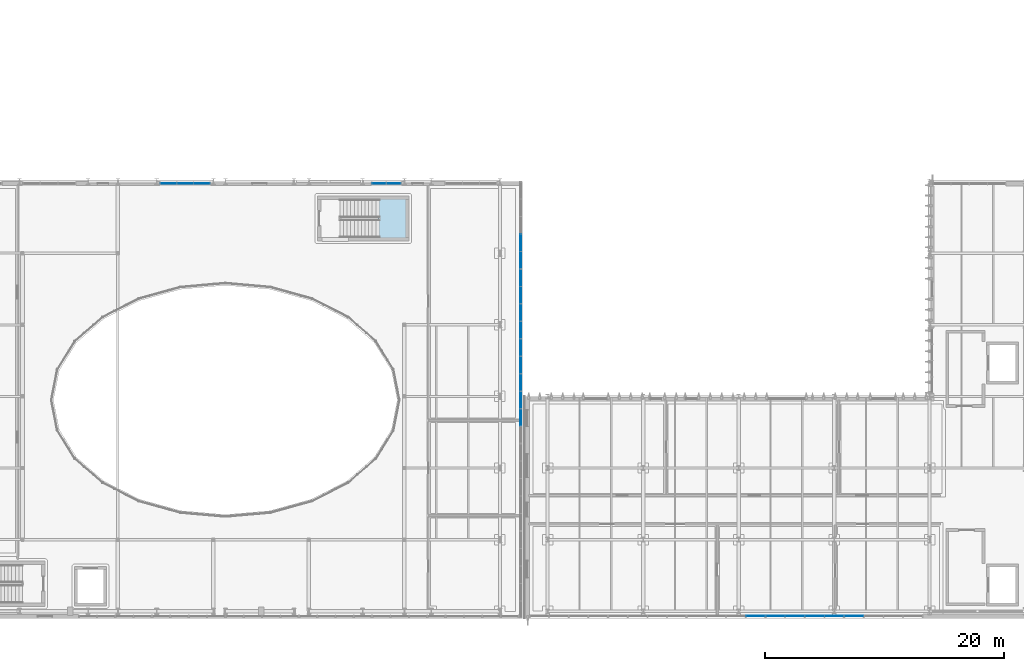
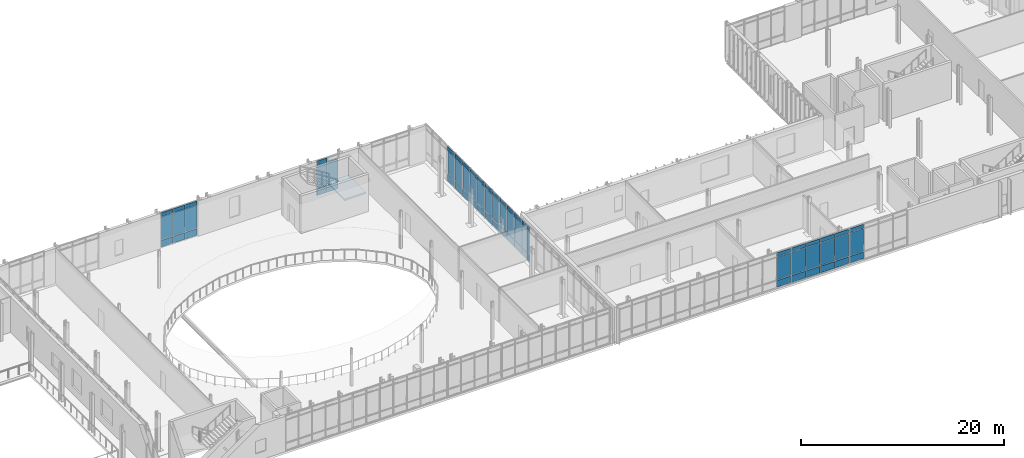
# One storey, part 55 of 100: 65 plates, 1 slab, 9 elements without a shape of their own.
"""IFC4 building model written with IfcOpenShell, lengths in metres."""

import ifcopenshell
import ifcopenshell.guid

model = None  # the IFC model being written
_history = None  # IfcOwnerHistory: only IFC2X3 demands one
_inside = {}  # id of a spatial element -> (the spatial element, [elements in it])
_under = {}  # id of a project, library or spatial element -> (it, [spatial elements below it])
_declared = {}  # id of a project -> (the project, [libraries it declares])
_typed = {}  # id of a type object -> (the type object, [elements of that type])
_made_of = {}  # id of a material, layer set ... -> (it, [elements and type objects made of it])


def new_model(schema):
    """Start an empty IFC model of exactly this schema.

    Asked for "IFC4X3", IfcOpenShell would pick the latest addendum, in which some entities
    have other attributes; the version numbers below select the first issue.
    IFC2X3 requires an IfcOwnerHistory on every rooted entity: one is made here for all.
    """
    global model, _history
    if schema == "IFC4X3":
        model = ifcopenshell.file(schema_version=(4, 3, 0, 0))
    else:
        model = ifcopenshell.file(schema=schema)
    _inside.clear()
    _under.clear()
    _declared.clear()
    _typed.clear()
    _made_of.clear()
    _history = None
    if model.schema == "IFC2X3":
        org = make("IfcOrganization", Name="unknown")
        user = make(
            "IfcPersonAndOrganization",
            ThePerson=make("IfcPerson", FamilyName="unknown"),
            TheOrganization=org,
        )
        app = make(
            "IfcApplication",
            ApplicationDeveloper=org,
            Version="unknown",
            ApplicationFullName="unknown",
            ApplicationIdentifier="unknown",
        )
        _history = make(
            "IfcOwnerHistory",
            OwningUser=user,
            OwningApplication=app,
            ChangeAction="ADDED",
            CreationDate=0,
        )
    return model


def make(cls, **values):
    """One entity of the class cls with the attributes given. An attribute that is None is left unset."""
    return model.create_entity(
        cls, **{name: value for name, value in values.items() if value is not None}
    )


def rooted(cls, **values):
    """An entity with a GlobalId (a new one), such as an element, a storey or a relation."""
    return make(cls, GlobalId=ifcopenshell.guid.new(), OwnerHistory=_history, **values)


def si_unit(unit_type, name, prefix=None):
    """IfcSIUnit, for example si_unit("LENGTHUNIT", "METRE", prefix="MILLI")."""
    return make("IfcSIUnit", UnitType=unit_type, Prefix=prefix, Name=name)


def assignment(units):
    """IfcUnitAssignment: the units of a project."""
    return None if units is None else make("IfcUnitAssignment", Units=units)


def point(xyz):
    """IfcCartesianPoint."""
    return None if xyz is None else make("IfcCartesianPoint", Coordinates=xyz)


def direction(xyz):
    """IfcDirection."""
    return None if xyz is None else make("IfcDirection", DirectionRatios=xyz)


def frame(location, z_axis=None, x_axis=None):
    """IfcAxis2Placement3D, a coordinate frame: its origin and axes. An axis left out is left unset."""
    return make(
        "IfcAxis2Placement3D",
        Location=point(location),
        Axis=direction(z_axis),
        RefDirection=direction(x_axis),
    )


def frame_2d(location, x_axis=None):
    """IfcAxis2Placement2D, a coordinate frame in the plane: its origin and x axis."""
    return make(
        "IfcAxis2Placement2D", Location=point(location), RefDirection=direction(x_axis)
    )


def origin():
    """The frame at (0, 0, 0) with its axes left unset."""
    return frame((0.0, 0.0, 0.0))


def origin_2d():
    """The frame at (0, 0) in the plane with its x axis left unset."""
    return frame_2d((0.0, 0.0))


def place(relative_to, where):
    """IfcLocalPlacement: puts the frame where relative to a parent placement (None: the world)."""
    return make(
        "IfcLocalPlacement", PlacementRelTo=relative_to, RelativePlacement=where
    )


def context(
    kind, dimensions, precision=None, world=None, true_north=None, identifier=None
):
    """IfcGeometricRepresentationContext, for example the 3D "Model" context."""
    return make(
        "IfcGeometricRepresentationContext",
        ContextIdentifier=identifier,
        ContextType=kind,
        CoordinateSpaceDimension=dimensions,
        Precision=precision,
        WorldCoordinateSystem=world,
        TrueNorth=true_north,
    )


def subcontext(parent, identifier, kind, view, scale=None):
    """IfcGeometricRepresentationSubContext, for example "Body" below "Model"."""
    return make(
        "IfcGeometricRepresentationSubContext",
        ContextIdentifier=identifier,
        ContextType=kind,
        ParentContext=parent,
        TargetScale=scale,
        TargetView=view,
    )


def project(units=None, contexts=None):
    """IfcProject with its units and contexts."""
    return rooted(
        "IfcProject",
        Name="project",
        RepresentationContexts=contexts,
        UnitsInContext=assignment(units),
    )


def spatial(cls, under=None, at=None, **own):
    """A site, building, storey or space (cls), placed at a placement, below another one or the project."""
    s = rooted(cls, ObjectPlacement=at, **own)
    if under is not None:
        _under.setdefault(under.id(), (under, []))[1].append(s)
    return s


def polyline(points):
    """IfcPolyline through the points."""
    return make("IfcPolyline", Points=[point(p) for p in points])


def profile(cls, at=None, kind="AREA", **sizes):
    """A parametric profile (cls). Its sizes go by their IFC names, for example OverallWidth=200.0."""
    return make(cls, ProfileType=kind, Position=at, **sizes)


def rectangle(**sizes):
    """IfcRectangleProfileDef."""
    return profile("IfcRectangleProfileDef", **sizes)


def outline(outer, holes=None, kind="AREA"):
    """IfcArbitraryClosedProfileDef: a profile drawn as a closed curve; with holes, ...WithVoids."""
    if holes is None:
        return make("IfcArbitraryClosedProfileDef", ProfileType=kind, OuterCurve=outer)
    return make(
        "IfcArbitraryProfileDefWithVoids",
        ProfileType=kind,
        OuterCurve=outer,
        InnerCurves=holes,
    )


def extrude(swept, where, along, depth):
    """IfcExtrudedAreaSolid: the profile swept, set in the frame where, extruded along a direction by depth."""
    return make(
        "IfcExtrudedAreaSolid",
        SweptArea=swept,
        Position=where,
        ExtrudedDirection=direction(along),
        Depth=depth,
    )


def shape(context_of_items, identifier, shape_type, items):
    """IfcShapeRepresentation: the items that make up one representation, for example the "Body"."""
    return make(
        "IfcShapeRepresentation",
        ContextOfItems=context_of_items,
        RepresentationIdentifier=identifier,
        RepresentationType=shape_type,
        Items=items,
    )


def material(Name=None, Category=None):
    """IfcMaterial."""
    return make("IfcMaterial", Name=Name, Category=Category)


def layer(
    of_material, thickness, ventilated=None, Name=None, Category=None, Priority=None
):
    """IfcMaterialLayer: one layer of a wall or slab, of a material (None: an air gap)."""
    return make(
        "IfcMaterialLayer",
        Material=of_material,
        LayerThickness=thickness,
        IsVentilated=ventilated,
        Name=Name,
        Category=Category,
        Priority=Priority,
    )


def layer_set(layers, Name=None):
    """IfcMaterialLayerSet."""
    return make("IfcMaterialLayerSet", MaterialLayers=layers, LayerSetName=Name)


def made_of(thing, what):
    """Note that an element or type object is made of a material, layer set ...; save() writes the relation."""
    if what is not None:
        _made_of.setdefault(what.id(), (what, []))[1].append(thing)
    return thing


def type_object(cls, material=None, **own):
    """A type object (cls), such as IfcWallType, which elements share."""
    return made_of(rooted(cls, **own), material)


def element(
    cls,
    number,
    at=None,
    inside=None,
    cuts=None,
    type_object=None,
    material=None,
    context=None,
    identifier="Body",
    shape_type=None,
    held_by="IfcProductDefinitionShape",
    body=None,
    shapes=None,
    **own,
):
    """One element of the class cls, such as IfcWall. Its Tag is "e" and its number.

    at: its placement. inside: the storey or other place that contains it. cuts: it is an
    opening in that element (IfcRelVoidsElement). A single representation is given by context,
    identifier, shape_type and body (its items); several are given by shapes. held_by: the class
    of the entity that holds the representations. save() writes the other relations.
    """
    e = rooted(cls, Tag="e%d" % number, ObjectPlacement=at, **own)
    if body is not None:
        shapes = [shape(context, identifier, shape_type, body)]
    if shapes is not None:
        e.Representation = make(held_by, Representations=shapes)
    if inside is not None:
        _inside.setdefault(inside.id(), (inside, []))[1].append(e)
    if cuts is not None:
        rooted(
            "IfcRelVoidsElement", RelatingBuildingElement=cuts, RelatedOpeningElement=e
        )
    if type_object is not None:
        _typed.setdefault(type_object.id(), (type_object, []))[1].append(e)
    return made_of(e, material)


def aggregate(whole, parts):
    """IfcRelAggregates: a whole, such as a stair, and the parts it consists of."""
    return rooted("IfcRelAggregates", RelatingObject=whole, RelatedObjects=parts)


def save(model, path):
    """Write the relations noted so far, then the file.

    IfcRelAggregates (storeys below a building ...), IfcRelContainedInSpatialStructure (elements
    in a storey), IfcRelDefinesByType, IfcRelAssociatesMaterial and IfcRelDeclares: one each for
    every whole, place, type object, material and project.
    """
    for whole, parts in _under.values():
        aggregate(whole, parts)
    for where, things in _inside.values():
        rooted(
            "IfcRelContainedInSpatialStructure",
            RelatedElements=things,
            RelatingStructure=where,
        )
    for kind, things in _typed.values():
        rooted("IfcRelDefinesByType", RelatedObjects=things, RelatingType=kind)
    for what, things in _made_of.values():
        rooted("IfcRelAssociatesMaterial", RelatedObjects=things, RelatingMaterial=what)
    for by, libraries in _declared.values():
        rooted("IfcRelDeclares", RelatingContext=by, RelatedDefinitions=libraries)
    model.write(path)


model = new_model("IFC4")

# Units and contexts
model_context = context("Model", 3, precision=1e-05, world=origin(), true_north=direction((0.0, 1.0)))
body_context = subcontext(model_context, "Body", "Model", "MODEL_VIEW")
ifc_project = project(units=[si_unit("LENGTHUNIT", "METRE"), si_unit("AREAUNIT", "SQUARE_METRE"), si_unit("VOLUMEUNIT", "CUBIC_METRE"), si_unit("PLANEANGLEUNIT", "RADIAN"), si_unit("MASSUNIT", "GRAM", prefix="KILO")], contexts=[model_context])

# Site, building, storey
site_placement = place(None, origin())
site = spatial("IfcSite", under=ifc_project, at=site_placement, CompositionType="ELEMENT")
building_placement = place(site_placement, origin())
building = spatial("IfcBuilding", under=site, at=building_placement, Name="Cymarion Research Institute", CompositionType="ELEMENT")
storey_placement = place(building_placement, frame((0.0, 0.0, 9.300048828125)))
storey = spatial("IfcBuildingStorey", under=building, at=storey_placement, Name="L02", CompositionType="ELEMENT", Elevation=9.300048828125)

# Curtain wall, plates
ifc_material_1 = material(Name="Anodised aluminium unitised curtain wall with Low-E glazing", Category="aluminium")
curtain_wall_type_1 = type_object("IfcCurtainWallType", Name="UNITISED CURTAIN WALL CW01 6590X4250", PredefinedType="NOTDEFINED", material=ifc_material_1)
curtain_wall_1_placement = place(storey_placement, origin())
curtain_wall_1 = element("IfcCurtainWall", 1, at=curtain_wall_1_placement, inside=storey, type_object=curtain_wall_type_1, Name="L02 V1 unitised curtain wall CW01 #62", PredefinedType="NOTDEFINED")
ifc_material_2 = material(Name="Insulated anodised aluminium spandrel panel", Category="aluminium")
ifc_layer_1 = layer(ifc_material_2, 0.06005859375)
ifc_layer_set_1 = layer_set([ifc_layer_1], Name="Insulated anodised aluminium spandrel panel")
plate_type_1 = type_object("IfcPlateType", Name="INSULATED ALUMINIUM SPANDREL PANEL SP01 60MM", PredefinedType="SHEET", material=ifc_layer_set_1)
plate_1_placement = place(storey_placement, frame((124.002197265625, 5.090087890625, 0.059814453125), z_axis=(0.0, 0.0, 1.0), x_axis=(1.0, 0.0, 0.0)))
plate_1 = element("IfcPlate", 2, at=plate_1_placement, type_object=plate_type_1, Name="CW01 panel 4.1", PredefinedType="SHEET", context=body_context, shape_type="SweptSolid", body=[
    extrude(rectangle(XDim=1.558349609375, YDim=0.06005859375, at=origin_2d()), origin(), (0.0, 0.0, 1.0), 0.81005859375),
])
plate_2_placement = place(storey_placement, frame((124.002197265625, 5.090087890625, 3.72998046875), z_axis=(0.0, 0.0, 1.0), x_axis=(1.0, 0.0, 0.0)))
plate_2 = element("IfcPlate", 3, at=plate_2_placement, type_object=plate_type_1, Name="CW01 panel 4.3", PredefinedType="SHEET", context=body_context, shape_type="SweptSolid", body=[
    extrude(rectangle(XDim=1.558349609375, YDim=0.06005859375, at=origin_2d()), origin(), (0.0, 0.0, 1.0), 0.4599609375),
])

curtain_wall_2_placement = place(storey_placement, origin())
curtain_wall_2 = element("IfcCurtainWall", 4, at=curtain_wall_2_placement, inside=storey, type_object=curtain_wall_type_1, Name="L02 V1 unitised curtain wall CW01 #63", PredefinedType="NOTDEFINED")
plate_3_placement = place(storey_placement, frame((125.680419921875, 5.090087890625, 0.059814453125), z_axis=(0.0, 0.0, 1.0), x_axis=(1.0, 0.0, 0.0)))
plate_3 = element("IfcPlate", 5, at=plate_3_placement, type_object=plate_type_1, Name="CW01 panel 1.1", PredefinedType="SHEET", context=body_context, shape_type="SweptSolid", body=[
    extrude(rectangle(XDim=1.558349609375, YDim=0.06005859375, at=origin_2d()), origin(), (0.0, 0.0, 1.0), 0.81005859375),
])
plate_4_placement = place(storey_placement, frame((125.680419921875, 5.090087890625, 3.72998046875), z_axis=(0.0, 0.0, 1.0), x_axis=(1.0, 0.0, 0.0)))
plate_4 = element("IfcPlate", 6, at=plate_4_placement, type_object=plate_type_1, Name="CW01 panel 1.3", PredefinedType="SHEET", context=body_context, shape_type="SweptSolid", body=[
    extrude(rectangle(XDim=1.558349609375, YDim=0.06005859375, at=origin_2d()), origin(), (0.0, 0.0, 1.0), 0.4599609375),
])
plate_5_placement = place(storey_placement, frame((127.313720703125, 5.090087890625, 0.059814453125), z_axis=(0.0, 0.0, 1.0), x_axis=(1.0, 0.0, 0.0)))
plate_5 = element("IfcPlate", 7, at=plate_5_placement, type_object=plate_type_1, Name="CW01 panel 2.1", PredefinedType="SHEET", context=body_context, shape_type="SweptSolid", body=[
    extrude(rectangle(XDim=1.58837890625, YDim=0.06005859375, at=origin_2d()), origin(), (0.0, 0.0, 1.0), 0.81005859375),
])
plate_6_placement = place(storey_placement, frame((127.313720703125, 5.090087890625, 3.72998046875), z_axis=(0.0, 0.0, 1.0), x_axis=(1.0, 0.0, 0.0)))
plate_6 = element("IfcPlate", 8, at=plate_6_placement, type_object=plate_type_1, Name="CW01 panel 2.3", PredefinedType="SHEET", context=body_context, shape_type="SweptSolid", body=[
    extrude(rectangle(XDim=1.58837890625, YDim=0.06005859375, at=origin_2d()), origin(), (0.0, 0.0, 1.0), 0.4599609375),
])
plate_7_placement = place(storey_placement, frame((128.9619140625, 5.090087890625, 0.059814453125), z_axis=(0.0, 0.0, 1.0), x_axis=(1.0, 0.0, 0.0)))
plate_7 = element("IfcPlate", 9, at=plate_7_placement, type_object=plate_type_1, Name="CW01 panel 3.1", PredefinedType="SHEET", context=body_context, shape_type="SweptSolid", body=[
    extrude(rectangle(XDim=1.58837890625, YDim=0.06005859375, at=origin_2d()), origin(), (0.0, 0.0, 1.0), 0.81005859375),
])
plate_8_placement = place(storey_placement, frame((128.9619140625, 5.090087890625, 3.72998046875), z_axis=(0.0, 0.0, 1.0), x_axis=(1.0, 0.0, 0.0)))
plate_8 = element("IfcPlate", 10, at=plate_8_placement, type_object=plate_type_1, Name="CW01 panel 3.3", PredefinedType="SHEET", context=body_context, shape_type="SweptSolid", body=[
    extrude(rectangle(XDim=1.58837890625, YDim=0.06005859375, at=origin_2d()), origin(), (0.0, 0.0, 1.0), 0.4599609375),
])
plate_9_placement = place(storey_placement, frame((130.59521484375, 5.090087890625, 0.059814453125), z_axis=(0.0, 0.0, 1.0), x_axis=(1.0, 0.0, 0.0)))
plate_9 = element("IfcPlate", 11, at=plate_9_placement, type_object=plate_type_1, Name="CW01 panel 4.1", PredefinedType="SHEET", context=body_context, shape_type="SweptSolid", body=[
    extrude(rectangle(XDim=1.558349609375, YDim=0.06005859375, at=origin_2d()), origin(), (0.0, 0.0, 1.0), 0.81005859375),
])
plate_10_placement = place(storey_placement, frame((130.59521484375, 5.090087890625, 3.72998046875), z_axis=(0.0, 0.0, 1.0), x_axis=(1.0, 0.0, 0.0)))
plate_10 = element("IfcPlate", 12, at=plate_10_placement, type_object=plate_type_1, Name="CW01 panel 4.3", PredefinedType="SHEET", context=body_context, shape_type="SweptSolid", body=[
    extrude(rectangle(XDim=1.558349609375, YDim=0.06005859375, at=origin_2d()), origin(), (0.0, 0.0, 1.0), 0.4599609375),
])

curtain_wall_3_placement = place(storey_placement, origin())
curtain_wall_3 = element("IfcCurtainWall", 13, at=curtain_wall_3_placement, inside=storey, type_object=curtain_wall_type_1, Name="L02 V1 unitised curtain wall CW01 #64", PredefinedType="NOTDEFINED")
plate_11_placement = place(storey_placement, frame((132.2734375, 5.090087890625, 0.059814453125), z_axis=(0.0, 0.0, 1.0), x_axis=(1.0, 0.0, 0.0)))
plate_11 = element("IfcPlate", 14, at=plate_11_placement, type_object=plate_type_1, Name="CW01 panel 1.1", PredefinedType="SHEET", context=body_context, shape_type="SweptSolid", body=[
    extrude(rectangle(XDim=1.558349609375, YDim=0.06005859375, at=origin_2d()), origin(), (0.0, 0.0, 1.0), 0.81005859375),
])
plate_12_placement = place(storey_placement, frame((132.2734375, 5.090087890625, 3.72998046875), z_axis=(0.0, 0.0, 1.0), x_axis=(1.0, 0.0, 0.0)))
plate_12 = element("IfcPlate", 15, at=plate_12_placement, type_object=plate_type_1, Name="CW01 panel 1.3", PredefinedType="SHEET", context=body_context, shape_type="SweptSolid", body=[
    extrude(rectangle(XDim=1.558349609375, YDim=0.06005859375, at=origin_2d()), origin(), (0.0, 0.0, 1.0), 0.4599609375),
])

curtain_wall_type_2 = type_object("IfcCurtainWallType", Name="UNITISED CURTAIN WALL CW08 7320X4250", PredefinedType="NOTDEFINED", material=ifc_material_1)
curtain_wall_4_placement = place(storey_placement, origin())
curtain_wall_4 = element("IfcCurtainWall", 16, at=curtain_wall_4_placement, inside=storey, type_object=curtain_wall_type_2, Name="L02 V2 unitised curtain wall CW08 #80", PredefinedType="NOTDEFINED")
plate_13_placement = place(storey_placement, frame((104.340087890625, 21.736083984375, 0.059814453125), z_axis=(0.0, 0.0, 1.0), x_axis=(0.0, 1.0, 0.0)))
plate_13 = element("IfcPlate", 17, at=plate_13_placement, type_object=plate_type_1, Name="CW08 panel 2.1", PredefinedType="SHEET", context=body_context, shape_type="SweptSolid", body=[
    extrude(rectangle(XDim=1.404052734375, YDim=0.06005859375, at=origin_2d()), origin(), (0.0, 0.0, 1.0), 0.81005859375),
])
plate_14_placement = place(storey_placement, frame((104.340087890625, 21.736083984375, 3.72998046875), z_axis=(0.0, 0.0, 1.0), x_axis=(0.0, 1.0, 0.0)))
plate_14 = element("IfcPlate", 18, at=plate_14_placement, type_object=plate_type_1, Name="CW08 panel 2.3", PredefinedType="SHEET", context=body_context, shape_type="SweptSolid", body=[
    extrude(rectangle(XDim=1.404052734375, YDim=0.06005859375, at=origin_2d()), origin(), (0.0, 0.0, 1.0), 0.4599609375),
])
plate_15_placement = place(storey_placement, frame((104.340087890625, 23.199951171875, 0.059814453125), z_axis=(0.0, 0.0, 1.0), x_axis=(0.0, 1.0, 0.0)))
plate_15 = element("IfcPlate", 19, at=plate_15_placement, type_object=plate_type_1, Name="CW08 panel 3.1", PredefinedType="SHEET", context=body_context, shape_type="SweptSolid", body=[
    extrude(rectangle(XDim=1.404052734375, YDim=0.06005859375, at=origin_2d()), origin(), (0.0, 0.0, 1.0), 0.81005859375),
])
plate_16_placement = place(storey_placement, frame((104.340087890625, 23.199951171875, 3.72998046875), z_axis=(0.0, 0.0, 1.0), x_axis=(0.0, 1.0, 0.0)))
plate_16 = element("IfcPlate", 20, at=plate_16_placement, type_object=plate_type_1, Name="CW08 panel 3.3", PredefinedType="SHEET", context=body_context, shape_type="SweptSolid", body=[
    extrude(rectangle(XDim=1.404052734375, YDim=0.06005859375, at=origin_2d()), origin(), (0.0, 0.0, 1.0), 0.4599609375),
])
plate_17_placement = place(storey_placement, frame((104.340087890625, 24.6640625, 0.059814453125), z_axis=(0.0, 0.0, 1.0), x_axis=(0.0, 1.0, 0.0)))
plate_17 = element("IfcPlate", 21, at=plate_17_placement, type_object=plate_type_1, Name="CW08 panel 4.1", PredefinedType="SHEET", context=body_context, shape_type="SweptSolid", body=[
    extrude(rectangle(XDim=1.404052734375, YDim=0.06005859375, at=origin_2d()), origin(), (0.0, 0.0, 1.0), 0.81005859375),
])
plate_18_placement = place(storey_placement, frame((104.340087890625, 24.6640625, 3.72998046875), z_axis=(0.0, 0.0, 1.0), x_axis=(0.0, 1.0, 0.0)))
plate_18 = element("IfcPlate", 22, at=plate_18_placement, type_object=plate_type_1, Name="CW08 panel 4.3", PredefinedType="SHEET", context=body_context, shape_type="SweptSolid", body=[
    extrude(rectangle(XDim=1.404052734375, YDim=0.06005859375, at=origin_2d()), origin(), (0.0, 0.0, 1.0), 0.4599609375),
])
plate_19_placement = place(storey_placement, frame((104.340087890625, 26.113037109375, 0.059814453125), z_axis=(0.0, 0.0, 1.0), x_axis=(0.0, 1.0, 0.0)))
plate_19 = element("IfcPlate", 23, at=plate_19_placement, type_object=plate_type_1, Name="CW08 panel 5.1", PredefinedType="SHEET", context=body_context, shape_type="SweptSolid", body=[
    extrude(rectangle(XDim=1.3740234375, YDim=0.06005859375, at=origin_2d()), origin(), (0.0, 0.0, 1.0), 0.81005859375),
])
plate_20_placement = place(storey_placement, frame((104.340087890625, 26.113037109375, 3.72998046875), z_axis=(0.0, 0.0, 1.0), x_axis=(0.0, 1.0, 0.0)))
plate_20 = element("IfcPlate", 24, at=plate_20_placement, type_object=plate_type_1, Name="CW08 panel 5.3", PredefinedType="SHEET", context=body_context, shape_type="SweptSolid", body=[
    extrude(rectangle(XDim=1.3740234375, YDim=0.06005859375, at=origin_2d()), origin(), (0.0, 0.0, 1.0), 0.4599609375),
])

curtain_wall_5_placement = place(storey_placement, origin())
curtain_wall_5 = element("IfcCurtainWall", 25, at=curtain_wall_5_placement, inside=storey, type_object=curtain_wall_type_2, Name="L02 V2 unitised curtain wall CW08 #81", PredefinedType="NOTDEFINED")
plate_21_placement = place(storey_placement, frame((104.340087890625, 27.60693359375, 0.059814453125), z_axis=(0.0, 0.0, 1.0), x_axis=(0.0, 1.0, 0.0)))
plate_21 = element("IfcPlate", 26, at=plate_21_placement, type_object=plate_type_1, Name="CW08 panel 1.1", PredefinedType="SHEET", context=body_context, shape_type="SweptSolid", body=[
    extrude(rectangle(XDim=1.3740234375, YDim=0.06005859375, at=origin_2d()), origin(), (0.0, 0.0, 1.0), 0.81005859375),
])
plate_22_placement = place(storey_placement, frame((104.340087890625, 27.60693359375, 3.72998046875), z_axis=(0.0, 0.0, 1.0), x_axis=(0.0, 1.0, 0.0)))
plate_22 = element("IfcPlate", 27, at=plate_22_placement, type_object=plate_type_1, Name="CW08 panel 1.3", PredefinedType="SHEET", context=body_context, shape_type="SweptSolid", body=[
    extrude(rectangle(XDim=1.3740234375, YDim=0.06005859375, at=origin_2d()), origin(), (0.0, 0.0, 1.0), 0.4599609375),
])
plate_23_placement = place(storey_placement, frame((104.340087890625, 29.055908203125, 0.059814453125), z_axis=(0.0, 0.0, 1.0), x_axis=(0.0, 1.0, 0.0)))
plate_23 = element("IfcPlate", 28, at=plate_23_placement, type_object=plate_type_1, Name="CW08 panel 2.1", PredefinedType="SHEET", context=body_context, shape_type="SweptSolid", body=[
    extrude(rectangle(XDim=1.404052734375, YDim=0.06005859375, at=origin_2d()), origin(), (0.0, 0.0, 1.0), 0.81005859375),
])
plate_24_placement = place(storey_placement, frame((104.340087890625, 29.055908203125, 3.72998046875), z_axis=(0.0, 0.0, 1.0), x_axis=(0.0, 1.0, 0.0)))
plate_24 = element("IfcPlate", 29, at=plate_24_placement, type_object=plate_type_1, Name="CW08 panel 2.3", PredefinedType="SHEET", context=body_context, shape_type="SweptSolid", body=[
    extrude(rectangle(XDim=1.404052734375, YDim=0.06005859375, at=origin_2d()), origin(), (0.0, 0.0, 1.0), 0.4599609375),
])
plate_25_placement = place(storey_placement, frame((104.340087890625, 30.52001953125, 0.059814453125), z_axis=(0.0, 0.0, 1.0), x_axis=(0.0, 1.0, 0.0)))
plate_25 = element("IfcPlate", 30, at=plate_25_placement, type_object=plate_type_1, Name="CW08 panel 3.1", PredefinedType="SHEET", context=body_context, shape_type="SweptSolid", body=[
    extrude(rectangle(XDim=1.404052734375, YDim=0.06005859375, at=origin_2d()), origin(), (0.0, 0.0, 1.0), 0.81005859375),
])
plate_26_placement = place(storey_placement, frame((104.340087890625, 30.52001953125, 3.72998046875), z_axis=(0.0, 0.0, 1.0), x_axis=(0.0, 1.0, 0.0)))
plate_26 = element("IfcPlate", 31, at=plate_26_placement, type_object=plate_type_1, Name="CW08 panel 3.3", PredefinedType="SHEET", context=body_context, shape_type="SweptSolid", body=[
    extrude(rectangle(XDim=1.404052734375, YDim=0.06005859375, at=origin_2d()), origin(), (0.0, 0.0, 1.0), 0.4599609375),
])
plate_27_placement = place(storey_placement, frame((104.340087890625, 31.98388671875, 0.059814453125), z_axis=(0.0, 0.0, 1.0), x_axis=(0.0, 1.0, 0.0)))
plate_27 = element("IfcPlate", 32, at=plate_27_placement, type_object=plate_type_1, Name="CW08 panel 4.1", PredefinedType="SHEET", context=body_context, shape_type="SweptSolid", body=[
    extrude(rectangle(XDim=1.404052734375, YDim=0.06005859375, at=origin_2d()), origin(), (0.0, 0.0, 1.0), 0.81005859375),
])
plate_28_placement = place(storey_placement, frame((104.340087890625, 31.98388671875, 3.72998046875), z_axis=(0.0, 0.0, 1.0), x_axis=(0.0, 1.0, 0.0)))
plate_28 = element("IfcPlate", 33, at=plate_28_placement, type_object=plate_type_1, Name="CW08 panel 4.3", PredefinedType="SHEET", context=body_context, shape_type="SweptSolid", body=[
    extrude(rectangle(XDim=1.404052734375, YDim=0.06005859375, at=origin_2d()), origin(), (0.0, 0.0, 1.0), 0.4599609375),
])
plate_29_placement = place(storey_placement, frame((104.340087890625, 33.43310546875, 0.059814453125), z_axis=(0.0, 0.0, 1.0), x_axis=(0.0, 1.0, 0.0)))
plate_29 = element("IfcPlate", 34, at=plate_29_placement, type_object=plate_type_1, Name="CW08 panel 5.1", PredefinedType="SHEET", context=body_context, shape_type="SweptSolid", body=[
    extrude(rectangle(XDim=1.3740234375, YDim=0.06005859375, at=origin_2d()), origin(), (0.0, 0.0, 1.0), 0.81005859375),
])
plate_30_placement = place(storey_placement, frame((104.340087890625, 33.43310546875, 3.72998046875), z_axis=(0.0, 0.0, 1.0), x_axis=(0.0, 1.0, 0.0)))
plate_30 = element("IfcPlate", 35, at=plate_30_placement, type_object=plate_type_1, Name="CW08 panel 5.3", PredefinedType="SHEET", context=body_context, shape_type="SweptSolid", body=[
    extrude(rectangle(XDim=1.3740234375, YDim=0.06005859375, at=origin_2d()), origin(), (0.0, 0.0, 1.0), 0.4599609375),
])

curtain_wall_6_placement = place(storey_placement, origin())
curtain_wall_6 = element("IfcCurtainWall", 36, at=curtain_wall_6_placement, inside=storey, type_object=curtain_wall_type_2, Name="L02 V2 unitised curtain wall CW08 #82", PredefinedType="NOTDEFINED")
plate_31_placement = place(storey_placement, frame((104.340087890625, 34.927001953125, 0.059814453125), z_axis=(0.0, 0.0, 1.0), x_axis=(0.0, 1.0, 0.0)))
plate_31 = element("IfcPlate", 37, at=plate_31_placement, type_object=plate_type_1, Name="CW08 panel 1.1", PredefinedType="SHEET", context=body_context, shape_type="SweptSolid", body=[
    extrude(rectangle(XDim=1.3740234375, YDim=0.06005859375, at=origin_2d()), origin(), (0.0, 0.0, 1.0), 0.81005859375),
])
plate_32_placement = place(storey_placement, frame((104.340087890625, 34.927001953125, 3.72998046875), z_axis=(0.0, 0.0, 1.0), x_axis=(0.0, 1.0, 0.0)))
plate_32 = element("IfcPlate", 38, at=plate_32_placement, type_object=plate_type_1, Name="CW08 panel 1.3", PredefinedType="SHEET", context=body_context, shape_type="SweptSolid", body=[
    extrude(rectangle(XDim=1.3740234375, YDim=0.06005859375, at=origin_2d()), origin(), (0.0, 0.0, 1.0), 0.4599609375),
])
plate_33_placement = place(storey_placement, frame((104.340087890625, 36.3759765625, 0.059814453125), z_axis=(0.0, 0.0, 1.0), x_axis=(0.0, 1.0, 0.0)))
plate_33 = element("IfcPlate", 39, at=plate_33_placement, type_object=plate_type_1, Name="CW08 panel 2.1", PredefinedType="SHEET", context=body_context, shape_type="SweptSolid", body=[
    extrude(rectangle(XDim=1.404052734375, YDim=0.06005859375, at=origin_2d()), origin(), (0.0, 0.0, 1.0), 0.81005859375),
])
plate_34_placement = place(storey_placement, frame((104.340087890625, 36.3759765625, 3.72998046875), z_axis=(0.0, 0.0, 1.0), x_axis=(0.0, 1.0, 0.0)))
plate_34 = element("IfcPlate", 40, at=plate_34_placement, type_object=plate_type_1, Name="CW08 panel 2.3", PredefinedType="SHEET", context=body_context, shape_type="SweptSolid", body=[
    extrude(rectangle(XDim=1.404052734375, YDim=0.06005859375, at=origin_2d()), origin(), (0.0, 0.0, 1.0), 0.4599609375),
])

curtain_wall_type_3 = type_object("IfcCurtainWallType", Name="UNITISED CURTAIN WALL CW10 2520X4250", PredefinedType="NOTDEFINED", material=ifc_material_1)
curtain_wall_7_placement = place(storey_placement, origin())
curtain_wall_7 = element("IfcCurtainWall", 41, at=curtain_wall_7_placement, inside=storey, type_object=curtain_wall_type_3, Name="L02 V2 unitised curtain wall CW10 #84", PredefinedType="NOTDEFINED")
plate_35_placement = place(storey_placement, frame((93.69580078125, 41.340087890625, 0.059814453125), z_axis=(0.0, 0.0, 1.0), x_axis=(-1.0, 0.0, 0.0)))
plate_35 = element("IfcPlate", 42, at=plate_35_placement, type_object=plate_type_1, Name="CW10 panel 1.1", PredefinedType="SHEET", context=body_context, shape_type="SweptSolid", body=[
    extrude(rectangle(XDim=1.168212890625, YDim=0.06005859375, at=origin_2d()), origin(), (0.0, 0.0, 1.0), 0.81005859375),
])
plate_36_placement = place(storey_placement, frame((92.467529296875, 41.340087890625, 0.059814453125), z_axis=(0.0, 0.0, 1.0), x_axis=(-1.0, 0.0, 0.0)))
plate_36 = element("IfcPlate", 43, at=plate_36_placement, type_object=plate_type_1, Name="CW10 panel 2.1", PredefinedType="SHEET", context=body_context, shape_type="SweptSolid", body=[
    extrude(rectangle(XDim=1.168212890625, YDim=0.06005859375, at=origin_2d()), origin(), (0.0, 0.0, 1.0), 0.81005859375),
])
plate_37_placement = place(storey_placement, frame((92.467529296875, 41.340087890625, 3.72998046875), z_axis=(0.0, 0.0, 1.0), x_axis=(-1.0, 0.0, 0.0)))
plate_37 = element("IfcPlate", 44, at=plate_37_placement, type_object=plate_type_1, Name="CW10 panel 2.3", PredefinedType="SHEET", context=body_context, shape_type="SweptSolid", body=[
    extrude(rectangle(XDim=1.168212890625, YDim=0.06005859375, at=origin_2d()), origin(), (0.0, 0.0, 1.0), 0.4599609375),
])

curtain_wall_type_4 = type_object("IfcCurtainWallType", Name="UNITISED CURTAIN WALL CW11 4230X4250", PredefinedType="NOTDEFINED", material=ifc_material_1)
curtain_wall_8_placement = place(storey_placement, origin())
curtain_wall_8 = element("IfcCurtainWall", 45, at=curtain_wall_8_placement, inside=storey, type_object=curtain_wall_type_4, Name="L02 V2 unitised curtain wall CW11 #85", PredefinedType="NOTDEFINED")
plate_38_placement = place(storey_placement, frame((77.6201171875, 41.340087890625, 0.059814453125), z_axis=(0.0, 0.0, 1.0), x_axis=(-1.0, 0.0, 0.0)))
plate_38 = element("IfcPlate", 46, at=plate_38_placement, type_object=plate_type_1, Name="CW11 panel 1.1", PredefinedType="SHEET", context=body_context, shape_type="SweptSolid", body=[
    extrude(rectangle(XDim=1.320068359375, YDim=0.06005859375, at=origin_2d()), origin(), (0.0, 0.0, 1.0), 0.81005859375),
])
plate_39_placement = place(storey_placement, frame((77.6201171875, 41.340087890625, 3.72998046875), z_axis=(0.0, 0.0, 1.0), x_axis=(-1.0, 0.0, 0.0)))
plate_39 = element("IfcPlate", 47, at=plate_39_placement, type_object=plate_type_1, Name="CW11 panel 1.3", PredefinedType="SHEET", context=body_context, shape_type="SweptSolid", body=[
    extrude(rectangle(XDim=1.320068359375, YDim=0.06005859375, at=origin_2d()), origin(), (0.0, 0.0, 1.0), 0.4599609375),
])
plate_40_placement = place(storey_placement, frame((76.22509765625, 41.340087890625, 0.059814453125), z_axis=(0.0, 0.0, 1.0), x_axis=(-1.0, 0.0, 0.0)))
plate_40 = element("IfcPlate", 48, at=plate_40_placement, type_object=plate_type_1, Name="CW11 panel 2.1", PredefinedType="SHEET", context=body_context, shape_type="SweptSolid", body=[
    extrude(rectangle(XDim=1.35009765625, YDim=0.06005859375, at=origin_2d()), origin(), (0.0, 0.0, 1.0), 0.81005859375),
])
plate_41_placement = place(storey_placement, frame((76.22509765625, 41.340087890625, 3.72998046875), z_axis=(0.0, 0.0, 1.0), x_axis=(-1.0, 0.0, 0.0)))
plate_41 = element("IfcPlate", 49, at=plate_41_placement, type_object=plate_type_1, Name="CW11 panel 2.3", PredefinedType="SHEET", context=body_context, shape_type="SweptSolid", body=[
    extrude(rectangle(XDim=1.35009765625, YDim=0.06005859375, at=origin_2d()), origin(), (0.0, 0.0, 1.0), 0.4599609375),
])
plate_42_placement = place(storey_placement, frame((74.830078125, 41.340087890625, 0.059814453125), z_axis=(0.0, 0.0, 1.0), x_axis=(-1.0, 0.0, 0.0)))
plate_42 = element("IfcPlate", 50, at=plate_42_placement, type_object=plate_type_1, Name="CW11 panel 3.1", PredefinedType="SHEET", context=body_context, shape_type="SweptSolid", body=[
    extrude(rectangle(XDim=1.320068359375, YDim=0.06005859375, at=origin_2d()), origin(), (0.0, 0.0, 1.0), 0.81005859375),
])
plate_43_placement = place(storey_placement, frame((74.830078125, 41.340087890625, 3.72998046875), z_axis=(0.0, 0.0, 1.0), x_axis=(-1.0, 0.0, 0.0)))
plate_43 = element("IfcPlate", 51, at=plate_43_placement, type_object=plate_type_1, Name="CW11 panel 3.3", PredefinedType="SHEET", context=body_context, shape_type="SweptSolid", body=[
    extrude(rectangle(XDim=1.320068359375, YDim=0.06005859375, at=origin_2d()), origin(), (0.0, 0.0, 1.0), 0.4599609375),
])

# Stair, slab
ifc_material_3 = material(Name="Concrete C35/45", Category="concrete")
stair_type = type_object("IfcStairType", Name="REINFORCED CONCRETE DOGLEG STAIR STR-4500", PredefinedType="HALF_TURN_STAIR", material=ifc_material_3)
stair_placement = place(storey_placement, origin())
stair = element("IfcStair", 52, at=stair_placement, inside=storey, type_object=stair_type, Name="L02 Core C4 Smoke-Proof Exit Stair ST4", PredefinedType="HALF_TURN_STAIR")
ifc_layer_2 = layer(ifc_material_3, 0.199951171875)
ifc_layer_set_2 = layer_set([ifc_layer_2], Name="Concrete C35/45")
slab_type = type_object("IfcSlabType", Name="REINFORCED CONCRETE STAIR LANDING LDG200", PredefinedType="LANDING", material=ifc_layer_set_2)
slab_placement = place(storey_placement, frame((0.0, 0.0, 2.050048828125)))
slab = element("IfcSlab", 53, at=slab_placement, type_object=slab_type, Name="ST4 landing 1", PredefinedType="LANDING", context=body_context, shape_type="SweptSolid", body=[
    extrude(outline(polyline([(92.3798828125, 36.679931640625), (92.3798828125, 40.1201171875), (94.820068359375, 40.1201171875), (94.820068359375, 36.679931640625), (92.3798828125, 36.679931640625)])), origin(), (0.0, 0.0, 1.0), 0.199951171875),
])
aggregate(stair, [slab])

# Plate
ifc_material_4 = material(Name="Low-E double solar-control glazing", Category="glass")
ifc_layer_3 = layer(ifc_material_4, 0.035888671875)
ifc_layer_set_3 = layer_set([ifc_layer_3], Name="Low-E double solar-control glazing")
plate_type_2 = type_object("IfcPlateType", Name="SOLAR CONTROL GLAZED VISION PANEL GP01 36MM", PredefinedType="CURTAIN_PANEL", material=ifc_layer_set_3)
plate_44_placement = place(storey_placement, frame((124.002197265625, 5.090087890625, 0.93017578125), z_axis=(0.0, 0.0, 1.0), x_axis=(1.0, 0.0, 0.0)))
plate_44 = element("IfcPlate", 54, at=plate_44_placement, type_object=plate_type_2, Name="CW01 panel 4.2", PredefinedType="CURTAIN_PANEL", context=body_context, shape_type="SweptSolid", body=[
    extrude(rectangle(XDim=1.558349609375, YDim=0.035888671875, at=origin_2d()), origin(), (0.0, 0.0, 1.0), 2.739990234375),
])

aggregate(curtain_wall_1, [plate_1, plate_44, plate_2])

plate_45_placement = place(storey_placement, frame((125.680419921875, 5.090087890625, 0.93017578125), z_axis=(0.0, 0.0, 1.0), x_axis=(1.0, 0.0, 0.0)))
plate_45 = element("IfcPlate", 55, at=plate_45_placement, type_object=plate_type_2, Name="CW01 panel 1.2", PredefinedType="CURTAIN_PANEL", context=body_context, shape_type="SweptSolid", body=[
    extrude(rectangle(XDim=1.558349609375, YDim=0.035888671875, at=origin_2d()), origin(), (0.0, 0.0, 1.0), 2.739990234375),
])

plate_46_placement = place(storey_placement, frame((127.313720703125, 5.090087890625, 0.93017578125), z_axis=(0.0, 0.0, 1.0), x_axis=(1.0, 0.0, 0.0)))
plate_46 = element("IfcPlate", 56, at=plate_46_placement, type_object=plate_type_2, Name="CW01 panel 2.2", PredefinedType="CURTAIN_PANEL", context=body_context, shape_type="SweptSolid", body=[
    extrude(rectangle(XDim=1.58837890625, YDim=0.035888671875, at=origin_2d()), origin(), (0.0, 0.0, 1.0), 2.739990234375),
])

plate_47_placement = place(storey_placement, frame((128.9619140625, 5.090087890625, 0.93017578125), z_axis=(0.0, 0.0, 1.0), x_axis=(1.0, 0.0, 0.0)))
plate_47 = element("IfcPlate", 57, at=plate_47_placement, type_object=plate_type_2, Name="CW01 panel 3.2", PredefinedType="CURTAIN_PANEL", context=body_context, shape_type="SweptSolid", body=[
    extrude(rectangle(XDim=1.58837890625, YDim=0.035888671875, at=origin_2d()), origin(), (0.0, 0.0, 1.0), 2.739990234375),
])

plate_48_placement = place(storey_placement, frame((130.59521484375, 5.090087890625, 0.93017578125), z_axis=(0.0, 0.0, 1.0), x_axis=(1.0, 0.0, 0.0)))
plate_48 = element("IfcPlate", 58, at=plate_48_placement, type_object=plate_type_2, Name="CW01 panel 4.2", PredefinedType="CURTAIN_PANEL", context=body_context, shape_type="SweptSolid", body=[
    extrude(rectangle(XDim=1.558349609375, YDim=0.035888671875, at=origin_2d()), origin(), (0.0, 0.0, 1.0), 2.739990234375),
])

aggregate(curtain_wall_2, [plate_3, plate_45, plate_4, plate_5, plate_46, plate_6, plate_7, plate_47, plate_8, plate_9, plate_48, plate_10])

plate_49_placement = place(storey_placement, frame((132.2734375, 5.090087890625, 0.93017578125), z_axis=(0.0, 0.0, 1.0), x_axis=(1.0, 0.0, 0.0)))
plate_49 = element("IfcPlate", 59, at=plate_49_placement, type_object=plate_type_2, Name="CW01 panel 1.2", PredefinedType="CURTAIN_PANEL", context=body_context, shape_type="SweptSolid", body=[
    extrude(rectangle(XDim=1.558349609375, YDim=0.035888671875, at=origin_2d()), origin(), (0.0, 0.0, 1.0), 2.739990234375),
])

aggregate(curtain_wall_3, [plate_11, plate_49, plate_12])

plate_50_placement = place(storey_placement, frame((104.340087890625, 21.736083984375, 0.93017578125), z_axis=(0.0, 0.0, 1.0), x_axis=(0.0, 1.0, 0.0)))
plate_50 = element("IfcPlate", 60, at=plate_50_placement, type_object=plate_type_2, Name="CW08 panel 2.2", PredefinedType="CURTAIN_PANEL", context=body_context, shape_type="SweptSolid", body=[
    extrude(rectangle(XDim=1.404052734375, YDim=0.035888671875, at=origin_2d()), origin(), (0.0, 0.0, 1.0), 2.739990234375),
])

plate_51_placement = place(storey_placement, frame((104.340087890625, 23.199951171875, 0.93017578125), z_axis=(0.0, 0.0, 1.0), x_axis=(0.0, 1.0, 0.0)))
plate_51 = element("IfcPlate", 61, at=plate_51_placement, type_object=plate_type_2, Name="CW08 panel 3.2", PredefinedType="CURTAIN_PANEL", context=body_context, shape_type="SweptSolid", body=[
    extrude(rectangle(XDim=1.404052734375, YDim=0.035888671875, at=origin_2d()), origin(), (0.0, 0.0, 1.0), 2.739990234375),
])

plate_52_placement = place(storey_placement, frame((104.340087890625, 24.6640625, 0.93017578125), z_axis=(0.0, 0.0, 1.0), x_axis=(0.0, 1.0, 0.0)))
plate_52 = element("IfcPlate", 62, at=plate_52_placement, type_object=plate_type_2, Name="CW08 panel 4.2", PredefinedType="CURTAIN_PANEL", context=body_context, shape_type="SweptSolid", body=[
    extrude(rectangle(XDim=1.404052734375, YDim=0.035888671875, at=origin_2d()), origin(), (0.0, 0.0, 1.0), 2.739990234375),
])

plate_53_placement = place(storey_placement, frame((104.340087890625, 26.113037109375, 0.93017578125), z_axis=(0.0, 0.0, 1.0), x_axis=(0.0, 1.0, 0.0)))
plate_53 = element("IfcPlate", 63, at=plate_53_placement, type_object=plate_type_2, Name="CW08 panel 5.2", PredefinedType="CURTAIN_PANEL", context=body_context, shape_type="SweptSolid", body=[
    extrude(rectangle(XDim=1.3740234375, YDim=0.035888671875, at=origin_2d()), origin(), (0.0, 0.0, 1.0), 2.739990234375),
])

aggregate(curtain_wall_4, [plate_13, plate_50, plate_14, plate_15, plate_51, plate_16, plate_17, plate_52, plate_18, plate_19, plate_53, plate_20])

plate_54_placement = place(storey_placement, frame((104.340087890625, 27.60693359375, 0.93017578125), z_axis=(0.0, 0.0, 1.0), x_axis=(0.0, 1.0, 0.0)))
plate_54 = element("IfcPlate", 64, at=plate_54_placement, type_object=plate_type_2, Name="CW08 panel 1.2", PredefinedType="CURTAIN_PANEL", context=body_context, shape_type="SweptSolid", body=[
    extrude(rectangle(XDim=1.3740234375, YDim=0.035888671875, at=origin_2d()), origin(), (0.0, 0.0, 1.0), 2.739990234375),
])

plate_55_placement = place(storey_placement, frame((104.340087890625, 29.055908203125, 0.93017578125), z_axis=(0.0, 0.0, 1.0), x_axis=(0.0, 1.0, 0.0)))
plate_55 = element("IfcPlate", 65, at=plate_55_placement, type_object=plate_type_2, Name="CW08 panel 2.2", PredefinedType="CURTAIN_PANEL", context=body_context, shape_type="SweptSolid", body=[
    extrude(rectangle(XDim=1.404052734375, YDim=0.035888671875, at=origin_2d()), origin(), (0.0, 0.0, 1.0), 2.739990234375),
])

plate_56_placement = place(storey_placement, frame((104.340087890625, 30.52001953125, 0.93017578125), z_axis=(0.0, 0.0, 1.0), x_axis=(0.0, 1.0, 0.0)))
plate_56 = element("IfcPlate", 66, at=plate_56_placement, type_object=plate_type_2, Name="CW08 panel 3.2", PredefinedType="CURTAIN_PANEL", context=body_context, shape_type="SweptSolid", body=[
    extrude(rectangle(XDim=1.404052734375, YDim=0.035888671875, at=origin_2d()), origin(), (0.0, 0.0, 1.0), 2.739990234375),
])

plate_57_placement = place(storey_placement, frame((104.340087890625, 31.98388671875, 0.93017578125), z_axis=(0.0, 0.0, 1.0), x_axis=(0.0, 1.0, 0.0)))
plate_57 = element("IfcPlate", 67, at=plate_57_placement, type_object=plate_type_2, Name="CW08 panel 4.2", PredefinedType="CURTAIN_PANEL", context=body_context, shape_type="SweptSolid", body=[
    extrude(rectangle(XDim=1.404052734375, YDim=0.035888671875, at=origin_2d()), origin(), (0.0, 0.0, 1.0), 2.739990234375),
])

plate_58_placement = place(storey_placement, frame((104.340087890625, 33.43310546875, 0.93017578125), z_axis=(0.0, 0.0, 1.0), x_axis=(0.0, 1.0, 0.0)))
plate_58 = element("IfcPlate", 68, at=plate_58_placement, type_object=plate_type_2, Name="CW08 panel 5.2", PredefinedType="CURTAIN_PANEL", context=body_context, shape_type="SweptSolid", body=[
    extrude(rectangle(XDim=1.3740234375, YDim=0.035888671875, at=origin_2d()), origin(), (0.0, 0.0, 1.0), 2.739990234375),
])

aggregate(curtain_wall_5, [plate_21, plate_54, plate_22, plate_23, plate_55, plate_24, plate_25, plate_56, plate_26, plate_27, plate_57, plate_28, plate_29, plate_58, plate_30])

plate_59_placement = place(storey_placement, frame((104.340087890625, 34.927001953125, 0.93017578125), z_axis=(0.0, 0.0, 1.0), x_axis=(0.0, 1.0, 0.0)))
plate_59 = element("IfcPlate", 69, at=plate_59_placement, type_object=plate_type_2, Name="CW08 panel 1.2", PredefinedType="CURTAIN_PANEL", context=body_context, shape_type="SweptSolid", body=[
    extrude(rectangle(XDim=1.3740234375, YDim=0.035888671875, at=origin_2d()), origin(), (0.0, 0.0, 1.0), 2.739990234375),
])

plate_60_placement = place(storey_placement, frame((104.340087890625, 36.3759765625, 0.93017578125), z_axis=(0.0, 0.0, 1.0), x_axis=(0.0, 1.0, 0.0)))
plate_60 = element("IfcPlate", 70, at=plate_60_placement, type_object=plate_type_2, Name="CW08 panel 2.2", PredefinedType="CURTAIN_PANEL", context=body_context, shape_type="SweptSolid", body=[
    extrude(rectangle(XDim=1.404052734375, YDim=0.035888671875, at=origin_2d()), origin(), (0.0, 0.0, 1.0), 2.739990234375),
])

aggregate(curtain_wall_6, [plate_31, plate_59, plate_32, plate_33, plate_60, plate_34])

plate_61_placement = place(storey_placement, frame((93.69580078125, 41.340087890625, 0.93017578125), z_axis=(0.0, 0.0, 1.0), x_axis=(-1.0, 0.0, 0.0)))
plate_61 = element("IfcPlate", 71, at=plate_61_placement, type_object=plate_type_2, Name="CW10 panel 1.2", PredefinedType="CURTAIN_PANEL", context=body_context, shape_type="SweptSolid", body=[
    extrude(rectangle(XDim=1.168212890625, YDim=0.035888671875, at=origin_2d()), origin(), (0.0, 0.0, 1.0), 2.739990234375),
])

plate_62_placement = place(storey_placement, frame((92.467529296875, 41.340087890625, 0.93017578125), z_axis=(0.0, 0.0, 1.0), x_axis=(-1.0, 0.0, 0.0)))
plate_62 = element("IfcPlate", 72, at=plate_62_placement, type_object=plate_type_2, Name="CW10 panel 2.2", PredefinedType="CURTAIN_PANEL", context=body_context, shape_type="SweptSolid", body=[
    extrude(rectangle(XDim=1.168212890625, YDim=0.035888671875, at=origin_2d()), origin(), (0.0, 0.0, 1.0), 2.739990234375),
])

aggregate(curtain_wall_7, [plate_35, plate_61, plate_36, plate_62, plate_37])

plate_63_placement = place(storey_placement, frame((77.6201171875, 41.340087890625, 0.93017578125), z_axis=(0.0, 0.0, 1.0), x_axis=(-1.0, 0.0, 0.0)))
plate_63 = element("IfcPlate", 73, at=plate_63_placement, type_object=plate_type_2, Name="CW11 panel 1.2", PredefinedType="CURTAIN_PANEL", context=body_context, shape_type="SweptSolid", body=[
    extrude(rectangle(XDim=1.320068359375, YDim=0.035888671875, at=origin_2d()), origin(), (0.0, 0.0, 1.0), 2.739990234375),
])

plate_64_placement = place(storey_placement, frame((76.22509765625, 41.340087890625, 0.93017578125), z_axis=(0.0, 0.0, 1.0), x_axis=(-1.0, 0.0, 0.0)))
plate_64 = element("IfcPlate", 74, at=plate_64_placement, type_object=plate_type_2, Name="CW11 panel 2.2", PredefinedType="CURTAIN_PANEL", context=body_context, shape_type="SweptSolid", body=[
    extrude(rectangle(XDim=1.35009765625, YDim=0.035888671875, at=origin_2d()), origin(), (0.0, 0.0, 1.0), 2.739990234375),
])

plate_65_placement = place(storey_placement, frame((74.830078125, 41.340087890625, 0.93017578125), z_axis=(0.0, 0.0, 1.0), x_axis=(-1.0, 0.0, 0.0)))
plate_65 = element("IfcPlate", 75, at=plate_65_placement, type_object=plate_type_2, Name="CW11 panel 3.2", PredefinedType="CURTAIN_PANEL", context=body_context, shape_type="SweptSolid", body=[
    extrude(rectangle(XDim=1.320068359375, YDim=0.035888671875, at=origin_2d()), origin(), (0.0, 0.0, 1.0), 2.739990234375),
])

aggregate(curtain_wall_8, [plate_38, plate_63, plate_39, plate_40, plate_64, plate_41, plate_42, plate_65, plate_43])

save(model, "model.ifc")
